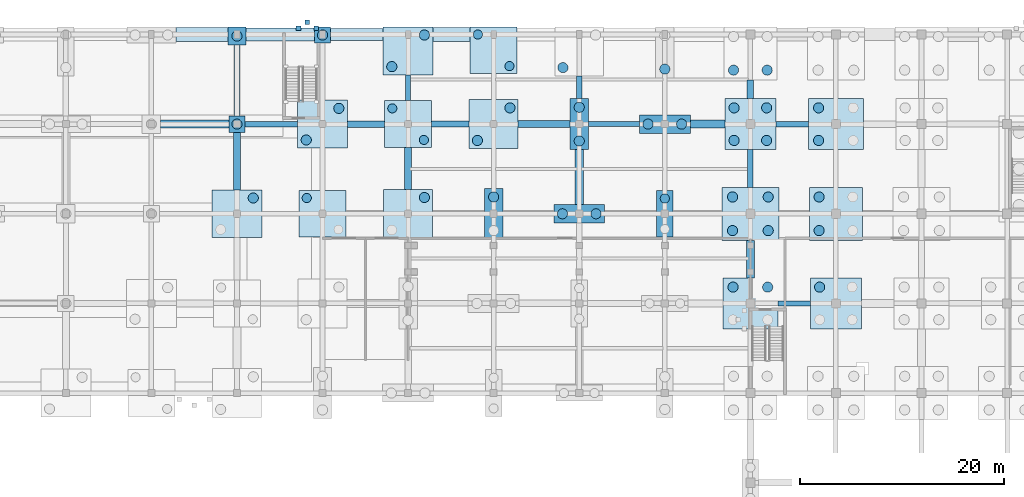
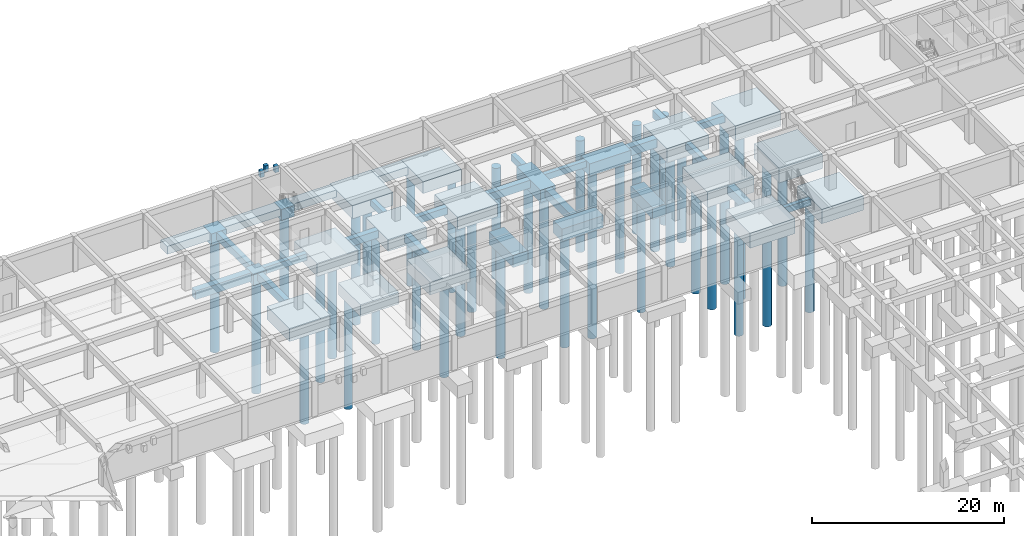
# One storey, part 8 of 41: 47 footings, 43 piles.
"""IFC4 building model written with IfcOpenShell, lengths in metres."""

from ifc_helpers import new_model, si_unit, direction, frame, origin, origin_2d, place, context, subcontext, project, spatial, rectangle, circle, extrude, material, material_profile, profile_set, type_object, element, save


model = new_model("IFC4")

# Units and contexts
model_context = context("Model", 3, precision=1e-05, world=origin(), true_north=direction((0.0, 1.0)))
body_context = subcontext(model_context, "Body", "Model", "MODEL_VIEW")
ifc_project = project(units=[si_unit("LENGTHUNIT", "METRE"), si_unit("AREAUNIT", "SQUARE_METRE"), si_unit("VOLUMEUNIT", "CUBIC_METRE"), si_unit("PLANEANGLEUNIT", "RADIAN"), si_unit("MASSUNIT", "GRAM", prefix="KILO")], contexts=[model_context])

# Site, building, storey
site_placement = place(None, origin())
site = spatial("IfcSite", under=ifc_project, at=site_placement, CompositionType="ELEMENT")
building_placement = place(site_placement, origin())
building = spatial("IfcBuilding", under=site, at=building_placement, Name="Kemercrest Conservatory and Botanical Centre", CompositionType="ELEMENT")
storey_placement = place(building_placement, frame((0.0, 0.0, -4.5)))
storey = spatial("IfcBuildingStorey", under=building, at=storey_placement, Name="B1", CompositionType="ELEMENT", Elevation=-4.5)

# Piles
ifc_material = material(Name="Concrete C40/50", Category="concrete")
ifc_material_profile_1 = material_profile(ifc_material, circle(Radius=0.5, at=origin_2d()), Name="BORED PILE 1000")
ifc_profile_set_1 = profile_set([ifc_material_profile_1], Name="Concrete C40/50")
pile_type_1 = type_object("IfcPileType", Name="BP-01", PredefinedType="BORED", material=ifc_profile_set_1)
pile_1_placement = place(storey_placement, frame((76.800048828125, 106.35009765625, -1.9599609375), z_axis=(0.0, 0.0, -1.0), x_axis=(1.0, 0.0, 0.0)))
element("IfcPile", 1, at=pile_1_placement, inside=storey, type_object=pile_type_1, Name="Bored pile BP-01 #213", PredefinedType="BORED", context=body_context, shape_type="SweptSolid", body=[
    extrude(circle(Radius=0.5, at=origin_2d()), origin(), (0.0, 0.0, 1.0), 14.0400390625),
])
pile_2_placement = place(storey_placement, frame((75.199951171875, 113.60009765625, -1.7099609375), z_axis=(0.0, 0.0, -1.0), x_axis=(1.0, 0.0, 0.0)))
element("IfcPile", 2, at=pile_2_placement, inside=storey, type_object=pile_type_1, Name="Bored pile BP-01 #214", PredefinedType="BORED", context=body_context, shape_type="SweptSolid", body=[
    extrude(circle(Radius=0.5, at=origin_2d()), origin(), (0.0, 0.0, 1.0), 14.2900390625),
])
pile_3_placement = place(storey_placement, frame((75.199951171875, 122.25, -1.760009765625), z_axis=(0.0, 0.0, -1.0), x_axis=(1.0, 0.0, 0.0)))
element("IfcPile", 3, at=pile_3_placement, inside=storey, type_object=pile_type_1, Name="Bored pile BP-01 #215", PredefinedType="BORED", context=body_context, shape_type="SweptSolid", body=[
    extrude(circle(Radius=0.5, at=origin_2d()), origin(), (0.0, 0.0, 1.0), 14.239990234375),
])
for number, where, z_axis, x_axis, name in (
    (4, (82.0, 112.050048828125, -1.9599609375), (0.0, 0.0, -1.0), (1.0, 0.0, 0.0), "Bored pile BP-01 #232"),
    (5, (85.199951171875, 115.14990234375, -1.9599609375), (0.0, 0.0, -1.0), (1.0, 0.0, 0.0), "Bored pile BP-01 #233"),
):
    element("IfcPile", number, at=place(storey_placement, frame(where, z_axis=z_axis, x_axis=x_axis)), inside=storey, type_object=pile_type_1, Name=name, PredefinedType="BORED", context=body_context, shape_type="SweptSolid", body=[
        extrude(circle(Radius=0.5, at=origin_2d()), origin(), (0.0, 0.0, 1.0), 14.0400390625),
    ])
pile_4_placement = place(storey_placement, frame((83.60009765625, 122.35009765625, -1.7099609375), z_axis=(0.0, 0.0, -1.0), x_axis=(1.0, 0.0, 0.0)))
element("IfcPile", 6, at=pile_4_placement, inside=storey, type_object=pile_type_1, Name="Bored pile BP-01 #234", PredefinedType="BORED", context=body_context, shape_type="SweptSolid", body=[
    extrude(circle(Radius=0.5, at=origin_2d()), origin(), (0.0, 0.0, 1.0), 14.2900390625),
])
pile_5_placement = place(storey_placement, frame((93.60009765625, 106.39990234375, -1.909912109375), z_axis=(0.0, 0.0, -1.0), x_axis=(1.0, 0.0, 0.0)))
element("IfcPile", 7, at=pile_5_placement, inside=storey, type_object=pile_type_1, Name="Bored pile BP-01 #249", PredefinedType="BORED", context=body_context, shape_type="SweptSolid", body=[
    extrude(circle(Radius=0.5, at=origin_2d()), origin(), (0.0, 0.0, 1.0), 14.090087890625),
])
for number, where, z_axis, x_axis, name in (
    (8, (90.39990234375, 119.25, -1.9599609375), (0.0, 0.0, -1.0), (1.0, 0.0, 0.0), "Bored pile BP-01 #252"),
    (9, (93.60009765625, 122.35009765625, -1.9599609375), (0.0, 0.0, -1.0), (1.0, 0.0, 0.0), "Bored pile BP-01 #253"),
):
    element("IfcPile", number, at=place(storey_placement, frame(where, z_axis=z_axis, x_axis=x_axis)), inside=storey, type_object=pile_type_1, Name=name, PredefinedType="BORED", context=body_context, shape_type="SweptSolid", body=[
        extrude(circle(Radius=0.5, at=origin_2d()), origin(), (0.0, 0.0, 1.0), 14.0400390625),
    ])
pile_6_placement = place(storey_placement, frame((100.39990234375, 106.449951171875, -1.860107421875), z_axis=(0.0, 0.0, -1.0), x_axis=(1.0, 0.0, 0.0)))
element("IfcPile", 10, at=pile_6_placement, inside=storey, type_object=pile_type_1, Name="Bored pile BP-01 #267", PredefinedType="BORED", context=body_context, shape_type="SweptSolid", body=[
    extrude(circle(Radius=0.5, at=origin_2d()), origin(), (0.0, 0.0, 1.0), 14.139892578125),
])
for number, where, z_axis, x_axis, name in (
    (11, (98.800048828125, 112.0, -1.909912109375), (0.0, 0.0, -1.0), (1.0, 0.0, 0.0), "Bored pile BP-01 #268"),
    (12, (102.0, 115.199951171875, -1.909912109375), (0.0, 0.0, -1.0), (1.0, 0.0, 0.0), "Bored pile BP-01 #269"),
):
    element("IfcPile", number, at=place(storey_placement, frame(where, z_axis=z_axis, x_axis=x_axis)), inside=storey, type_object=pile_type_1, Name=name, PredefinedType="BORED", context=body_context, shape_type="SweptSolid", body=[
        extrude(circle(Radius=0.5, at=origin_2d()), origin(), (0.0, 0.0, 1.0), 14.090087890625),
    ])
for number, where, z_axis, x_axis, name in (
    (13, (107.14990234375, 104.800048828125, -1.860107421875), (0.0, 0.0, -1.0), (1.0, 0.0, 0.0), "Bored pile BP-01 #284"),
    (14, (110.449951171875, 104.800048828125, -1.860107421875), (0.0, 0.0, -1.0), (1.0, 0.0, 0.0), "Bored pile BP-01 #285"),
    (15, (108.800048828125, 111.949951171875, -1.860107421875), (0.0, 0.0, -1.0), (1.0, 0.0, 0.0), "Bored pile BP-01 #286"),
    (16, (108.800048828125, 115.25, -1.860107421875), (0.0, 0.0, -1.0), (1.0, 0.0, 0.0), "Bored pile BP-01 #287"),
):
    element("IfcPile", number, at=place(storey_placement, frame(where, z_axis=z_axis, x_axis=x_axis)), inside=storey, type_object=pile_type_1, Name=name, PredefinedType="BORED", context=body_context, shape_type="SweptSolid", body=[
        extrude(circle(Radius=0.5, at=origin_2d()), origin(), (0.0, 0.0, 1.0), 14.139892578125),
    ])
pile_7_placement = place(storey_placement, frame((107.199951171875, 119.14990234375, -1.909912109375), z_axis=(0.0, 0.0, -1.0), x_axis=(1.0, 0.0, 0.0)))
element("IfcPile", 17, at=pile_7_placement, inside=storey, type_object=pile_type_1, Name="Bored pile BP-01 #288", PredefinedType="BORED", context=body_context, shape_type="SweptSolid", body=[
    extrude(circle(Radius=0.5, at=origin_2d()), origin(), (0.0, 0.0, 1.0), 14.090087890625),
])
for number, where, z_axis, x_axis, name in (
    (18, (115.550048828125, 113.60009765625, -1.860107421875), (0.0, 0.0, -1.0), (1.0, 0.0, 0.0), "Bored pile BP-01 #304"),
    (19, (118.85009765625, 113.60009765625, -1.860107421875), (0.0, 0.0, -1.0), (1.0, 0.0, 0.0), "Bored pile BP-01 #305"),
    (20, (117.199951171875, 119.0, -1.860107421875), (0.0, 0.0, -1.0), (1.0, 0.0, 0.0), "Bored pile BP-01 #306"),
):
    element("IfcPile", number, at=place(storey_placement, frame(where, z_axis=z_axis, x_axis=x_axis)), inside=storey, type_object=pile_type_1, Name=name, PredefinedType="BORED", context=body_context, shape_type="SweptSolid", body=[
        extrude(circle(Radius=0.5, at=origin_2d()), origin(), (0.0, 0.0, 1.0), 14.139892578125),
    ])
for number, where, z_axis, x_axis, name in (
    (21, (123.89990234375, 97.60009765625, -2.25), (0.0, 0.0, -1.0), (1.0, 0.0, 0.0), "Bored pile BP-01 #329"),
    (22, (127.300048828125, 97.60009765625, -2.25), (0.0, 0.0, -1.0), (1.0, 0.0, 0.0), "Bored pile BP-01 #331"),
):
    element("IfcPile", number, at=place(storey_placement, frame(where, z_axis=z_axis, x_axis=x_axis)), inside=storey, type_object=pile_type_1, Name=name, PredefinedType="BORED", context=body_context, shape_type="SweptSolid", body=[
        extrude(circle(Radius=0.5, at=origin_2d()), origin(), (0.0, 0.0, 1.0), 13.75),
    ])
for number, where, z_axis, x_axis, name in (
    (23, (123.85009765625, 103.14990234375, -2.300048828125), (0.0, 0.0, -1.0), (1.0, 0.0, 0.0), "Bored pile BP-01 #332"),
    (24, (123.85009765625, 106.449951171875, -2.300048828125), (0.0, 0.0, -1.0), (1.0, 0.0, 0.0), "Bored pile BP-01 #333"),
    (25, (127.35009765625, 103.14990234375, -2.300048828125), (0.0, 0.0, -1.0), (1.0, 0.0, 0.0), "Bored pile BP-01 #334"),
    (26, (127.35009765625, 106.449951171875, -2.300048828125), (0.0, 0.0, -1.0), (1.0, 0.0, 0.0), "Bored pile BP-01 #335"),
):
    element("IfcPile", number, at=place(storey_placement, frame(where, z_axis=z_axis, x_axis=x_axis)), inside=storey, type_object=pile_type_1, Name=name, PredefinedType="BORED", context=body_context, shape_type="SweptSolid", body=[
        extrude(circle(Radius=0.5, at=origin_2d()), origin(), (0.0, 0.0, 1.0), 13.699951171875),
    ])
for number, where, z_axis, x_axis, name in (
    (27, (124.0, 112.0, -2.14990234375), (0.0, 0.0, -1.0), (1.0, 0.0, 0.0), "Bored pile BP-01 #336"),
    (28, (124.0, 115.199951171875, -2.14990234375), (0.0, 0.0, -1.0), (1.0, 0.0, 0.0), "Bored pile BP-01 #337"),
    (29, (127.199951171875, 112.0, -2.14990234375), (0.0, 0.0, -1.0), (1.0, 0.0, 0.0), "Bored pile BP-01 #338"),
    (30, (127.199951171875, 115.199951171875, -2.14990234375), (0.0, 0.0, -1.0), (1.0, 0.0, 0.0), "Bored pile BP-01 #339"),
):
    element("IfcPile", number, at=place(storey_placement, frame(where, z_axis=z_axis, x_axis=x_axis)), inside=storey, type_object=pile_type_1, Name=name, PredefinedType="BORED", context=body_context, shape_type="SweptSolid", body=[
        extrude(circle(Radius=0.5, at=origin_2d()), origin(), (0.0, 0.0, 1.0), 13.85009765625),
    ])
for number, where, z_axis, x_axis, name in (
    (31, (123.949951171875, 118.89990234375, -2.199951171875), (0.0, 0.0, -1.0), (1.0, 0.0, 0.0), "Bored pile BP-01 #340"),
    (32, (127.25, 118.89990234375, -2.199951171875), (0.0, 0.0, -1.0), (1.0, 0.0, 0.0), "Bored pile BP-01 #342"),
):
    element("IfcPile", number, at=place(storey_placement, frame(where, z_axis=z_axis, x_axis=x_axis)), inside=storey, type_object=pile_type_1, Name=name, PredefinedType="BORED", context=body_context, shape_type="SweptSolid", body=[
        extrude(circle(Radius=0.5, at=origin_2d()), origin(), (0.0, 0.0, 1.0), 13.800048828125),
    ])
pile_8_placement = place(storey_placement, frame((132.39990234375, 97.60009765625, -2.14990234375), z_axis=(0.0, 0.0, -1.0), x_axis=(1.0, 0.0, 0.0)))
element("IfcPile", 33, at=pile_8_placement, inside=storey, type_object=pile_type_1, Name="Bored pile BP-01 #365", PredefinedType="BORED", context=body_context, shape_type="SweptSolid", body=[
    extrude(circle(Radius=0.5, at=origin_2d()), origin(), (0.0, 0.0, 1.0), 13.85009765625),
])
for number, where, z_axis, x_axis, name in (
    (34, (132.35009765625, 103.14990234375, -2.199951171875), (0.0, 0.0, -1.0), (1.0, 0.0, 0.0), "Bored pile BP-01 #368"),
    (35, (132.35009765625, 106.449951171875, -2.199951171875), (0.0, 0.0, -1.0), (1.0, 0.0, 0.0), "Bored pile BP-01 #369"),
):
    element("IfcPile", number, at=place(storey_placement, frame(where, z_axis=z_axis, x_axis=x_axis)), inside=storey, type_object=pile_type_1, Name=name, PredefinedType="BORED", context=body_context, shape_type="SweptSolid", body=[
        extrude(circle(Radius=0.5, at=origin_2d()), origin(), (0.0, 0.0, 1.0), 13.800048828125),
    ])
for number, where, z_axis, x_axis, name in (
    (36, (132.300048828125, 112.0, -2.25), (0.0, 0.0, -1.0), (1.0, 0.0, 0.0), "Bored pile BP-01 #372"),
    (37, (132.300048828125, 115.199951171875, -2.25), (0.0, 0.0, -1.0), (1.0, 0.0, 0.0), "Bored pile BP-01 #373"),
):
    element("IfcPile", number, at=place(storey_placement, frame(where, z_axis=z_axis, x_axis=x_axis)), inside=storey, type_object=pile_type_1, Name=name, PredefinedType="BORED", context=body_context, shape_type="SweptSolid", body=[
        extrude(circle(Radius=0.5, at=origin_2d()), origin(), (0.0, 0.0, 1.0), 13.75),
    ])
ifc_material_profile_2 = material_profile(ifc_material, circle(Radius=0.449951171875, at=origin_2d()), Name="BORED PILE 900")
ifc_profile_set_2 = profile_set([ifc_material_profile_2], Name="Concrete C40/50")
pile_type_2 = type_object("IfcPileType", Name="BP-02", PredefinedType="BORED", material=ifc_profile_set_2)
for number, where, z_axis, x_axis, name in (
    (38, (82.050048828125, 106.35009765625, -1.81005859375), (0.0, 0.0, -1.0), (1.0, 0.0, 0.0), "Bored pile BP-02 #230"),
    (39, (90.449951171875, 115.14990234375, -1.81005859375), (0.0, 0.0, -1.0), (1.0, 0.0, 0.0), "Bored pile BP-02 #250"),
    (40, (93.550048828125, 112.050048828125, -1.81005859375), (0.0, 0.0, -1.0), (1.0, 0.0, 0.0), "Bored pile BP-02 #251"),
    (41, (98.85009765625, 122.39990234375, -1.81005859375), (0.0, 0.0, -1.0), (1.0, 0.0, 0.0), "Bored pile BP-02 #270"),
    (42, (101.949951171875, 119.300048828125, -1.81005859375), (0.0, 0.0, -1.0), (1.0, 0.0, 0.0), "Bored pile BP-02 #271"),
):
    element("IfcPile", number, at=place(storey_placement, frame(where, z_axis=z_axis, x_axis=x_axis)), inside=storey, type_object=pile_type_2, Name=name, PredefinedType="BORED", context=body_context, shape_type="SweptSolid", body=[
        extrude(circle(Radius=0.449951171875, at=origin_2d()), origin(), (0.0, 0.0, 1.0), 14.18994140625),
    ])
pile_9_placement = place(storey_placement, frame((117.199951171875, 106.300048828125, -1.760009765625), z_axis=(0.0, 0.0, -1.0), x_axis=(1.0, 0.0, 0.0)))
element("IfcPile", 43, at=pile_9_placement, inside=storey, type_object=pile_type_2, Name="Bored pile BP-02 #303", PredefinedType="BORED", context=body_context, shape_type="SweptSolid", body=[
    extrude(circle(Radius=0.449951171875, at=origin_2d()), origin(), (0.0, 0.0, 1.0), 14.239990234375),
])

# Footings
footing_type_1 = type_object("IfcFootingType", Name="FB-01", PredefinedType="FOOTING_BEAM", material=ifc_material)
footing_1_placement = place(storey_placement, frame((96.14990234375, 113.60009765625, -1.31005859375), z_axis=(0.0, 0.0, 1.0), x_axis=(1.0, 0.0, 0.0)))
element("IfcFooting", 44, at=footing_1_placement, inside=storey, type_object=footing_type_1, Name="Seismic tie footing beam FB-01", PredefinedType="FOOTING_BEAM", context=body_context, shape_type="SweptSolid", body=[
    extrude(rectangle(XDim=3.699951171875, YDim=0.60009765625, at=origin_2d()), origin(), (0.0, 0.0, 1.0), 0.89990234375),
])
footing_2_placement = place(storey_placement, frame((75.199951171875, 117.875, -1.31005859375), z_axis=(0.0, 0.0, 1.0), x_axis=(1.0, 0.0, 0.0)))
element("IfcFooting", 45, at=footing_2_placement, inside=storey, type_object=footing_type_1, Name="Seismic tie footing beam FB-01", PredefinedType="FOOTING_BEAM", context=body_context, shape_type="SweptSolid", body=[
    extrude(rectangle(XDim=0.60009765625, YDim=6.949951171875, at=origin_2d()), origin(), (0.0, 0.0, 1.0), 0.89990234375),
])
footing_type_2 = type_object("IfcFootingType", Name="FB-02", PredefinedType="FOOTING_BEAM", material=ifc_material)
footing_3_placement = place(storey_placement, frame((105.35009765625, 113.60009765625, -1.409912109375), z_axis=(0.0, 0.0, 1.0), x_axis=(1.0, 0.0, 0.0)))
element("IfcFooting", 46, at=footing_3_placement, inside=storey, type_object=footing_type_2, Name="Seismic tie footing beam FB-02", PredefinedType="FOOTING_BEAM", context=body_context, shape_type="SweptSolid", body=[
    extrude(rectangle(XDim=5.10009765625, YDim=0.699951171875, at=origin_2d()), origin(), (0.0, 0.0, 1.0), 1.0),
])
footing_4_placement = place(storey_placement, frame((92.0, 109.25, -1.409912109375), z_axis=(0.0, 0.0, 1.0), x_axis=(1.0, 0.0, 0.0)))
element("IfcFooting", 47, at=footing_4_placement, inside=storey, type_object=footing_type_2, Name="Seismic tie footing beam FB-02", PredefinedType="FOOTING_BEAM", context=body_context, shape_type="SweptSolid", body=[
    extrude(rectangle(XDim=0.699951171875, YDim=4.10009765625, at=origin_2d()), origin(), (0.0, 0.0, 1.0), 1.0),
])
footing_type_3 = type_object("IfcFootingType", Name="FB-03", PredefinedType="FOOTING_BEAM", material=ifc_material)
footing_5_placement = place(storey_placement, frame((129.89990234375, 96.0, -1.25), z_axis=(0.0, 0.0, 1.0), x_axis=(1.0, 0.0, 0.0)))
element("IfcFooting", 48, at=footing_5_placement, inside=storey, type_object=footing_type_3, Name="Seismic tie footing beam FB-03", PredefinedType="FOOTING_BEAM", context=body_context, shape_type="SweptSolid", body=[
    extrude(rectangle(XDim=3.199951171875, YDim=0.5, at=origin_2d()), origin(), (0.0, 0.0, 1.0), 0.800048828125),
])
footing_6_placement = place(storey_placement, frame((112.199951171875, 113.60009765625, -1.2099609375), z_axis=(0.0, 0.0, 1.0), x_axis=(1.0, 0.0, 0.0)))
element("IfcFooting", 49, at=footing_6_placement, inside=storey, type_object=footing_type_3, Name="Seismic tie footing beam FB-03", PredefinedType="FOOTING_BEAM", context=body_context, shape_type="SweptSolid", body=[
    extrude(rectangle(XDim=5.0, YDim=0.5, at=origin_2d()), origin(), (0.0, 0.0, 1.0), 0.800048828125),
])
footing_7_placement = place(storey_placement, frame((92.0, 117.175048828125, -1.2099609375), z_axis=(0.0, 0.0, 1.0), x_axis=(1.0, 0.0, 0.0)))
element("IfcFooting", 50, at=footing_7_placement, inside=storey, type_object=footing_type_3, Name="Seismic tie footing beam FB-03", PredefinedType="FOOTING_BEAM", context=body_context, shape_type="SweptSolid", body=[
    extrude(rectangle(XDim=0.5, YDim=2.550048828125, at=origin_2d()), origin(), (0.0, 0.0, 1.0), 0.800048828125),
])
footing_type_4 = type_object("IfcFootingType", Name="FB-04", PredefinedType="FOOTING_BEAM", material=ifc_material)
footing_8_placement = place(storey_placement, frame((71.050048828125, 113.60009765625, -1.510009765625), z_axis=(0.0, 0.0, 1.0), x_axis=(1.0, 0.0, 0.0)))
element("IfcFooting", 51, at=footing_8_placement, inside=storey, type_object=footing_type_4, Name="Seismic tie footing beam FB-04", PredefinedType="FOOTING_BEAM", context=body_context, shape_type="SweptSolid", body=[
    extrude(rectangle(XDim=6.699951171875, YDim=0.800048828125, at=origin_2d()), origin(), (0.0, 0.0, 1.0), 1.10009765625),
])
footing_9_placement = place(storey_placement, frame((121.39990234375, 113.60009765625, -1.550048828125), z_axis=(0.0, 0.0, 1.0), x_axis=(1.0, 0.0, 0.0)))
element("IfcFooting", 52, at=footing_9_placement, inside=storey, type_object=footing_type_4, Name="Seismic tie footing beam FB-04", PredefinedType="FOOTING_BEAM", context=body_context, shape_type="SweptSolid", body=[
    extrude(rectangle(XDim=3.39990234375, YDim=0.800048828125, at=origin_2d()), origin(), (0.0, 0.0, 1.0), 1.10009765625),
])
footing_10_placement = place(storey_placement, frame((108.800048828125, 108.39990234375, -1.510009765625), z_axis=(0.0, 0.0, 1.0), x_axis=(1.0, 0.0, 0.0)))
element("IfcFooting", 53, at=footing_10_placement, inside=storey, type_object=footing_type_4, Name="Seismic tie footing beam FB-04", PredefinedType="FOOTING_BEAM", context=body_context, shape_type="SweptSolid", body=[
    extrude(rectangle(XDim=0.800048828125, YDim=5.39990234375, at=origin_2d()), origin(), (0.0, 0.0, 1.0), 1.10009765625),
])
footing_11_placement = place(storey_placement, frame((125.60009765625, 100.35009765625, -1.550048828125), z_axis=(0.0, 0.0, 1.0), x_axis=(1.0, 0.0, 0.0)))
element("IfcFooting", 54, at=footing_11_placement, inside=storey, type_object=footing_type_4, Name="Seismic tie footing beam FB-04", PredefinedType="FOOTING_BEAM", context=body_context, shape_type="SweptSolid", body=[
    extrude(rectangle(XDim=0.800048828125, YDim=3.699951171875, at=origin_2d()), origin(), (0.0, 0.0, 1.0), 1.10009765625),
])
footing_type_5 = type_object("IfcFootingType", Name="FB-05", PredefinedType="FOOTING_BEAM", material=ifc_material)
footing_12_placement = place(storey_placement, frame((78.574951171875, 113.60009765625, -1.260009765625), z_axis=(0.0, 0.0, 1.0), x_axis=(1.0, 0.0, 0.0)))
element("IfcFooting", 55, at=footing_12_placement, inside=storey, type_object=footing_type_5, Name="Seismic tie footing beam FB-05", PredefinedType="FOOTING_BEAM", context=body_context, shape_type="SweptSolid", body=[
    extrude(rectangle(XDim=5.14990234375, YDim=0.550048828125, at=origin_2d()), origin(), (0.0, 0.0, 1.0), 0.85009765625),
])
footing_13_placement = place(storey_placement, frame((129.699951171875, 113.60009765625, -1.300048828125), z_axis=(0.0, 0.0, 1.0), x_axis=(1.0, 0.0, 0.0)))
element("IfcFooting", 56, at=footing_13_placement, inside=storey, type_object=footing_type_5, Name="Seismic tie footing beam FB-05", PredefinedType="FOOTING_BEAM", context=body_context, shape_type="SweptSolid", body=[
    extrude(rectangle(XDim=3.199951171875, YDim=0.550048828125, at=origin_2d()), origin(), (0.0, 0.0, 1.0), 0.85009765625),
])
footing_14_placement = place(storey_placement, frame((108.800048828125, 117.22509765625, -1.260009765625), z_axis=(0.0, 0.0, 1.0), x_axis=(1.0, 0.0, 0.0)))
element("IfcFooting", 57, at=footing_14_placement, inside=storey, type_object=footing_type_5, Name="Seismic tie footing beam FB-05", PredefinedType="FOOTING_BEAM", context=body_context, shape_type="SweptSolid", body=[
    extrude(rectangle(XDim=0.550048828125, YDim=2.25, at=origin_2d()), origin(), (0.0, 0.0, 1.0), 0.85009765625),
])
footing_15_placement = place(storey_placement, frame((125.60009765625, 109.25, -1.300048828125), z_axis=(0.0, 0.0, 1.0), x_axis=(1.0, 0.0, 0.0)))
element("IfcFooting", 58, at=footing_15_placement, inside=storey, type_object=footing_type_5, Name="Seismic tie footing beam FB-05", PredefinedType="FOOTING_BEAM", context=body_context, shape_type="SweptSolid", body=[
    extrude(rectangle(XDim=0.550048828125, YDim=3.699951171875, at=origin_2d()), origin(), (0.0, 0.0, 1.0), 0.85009765625),
])
footing_type_6 = type_object("IfcFootingType", Name="FB-06", PredefinedType="FOOTING_BEAM", material=ifc_material)
footing_16_placement = place(storey_placement, frame((87.875, 113.60009765625, -1.35986328125), z_axis=(0.0, 0.0, 1.0), x_axis=(1.0, 0.0, 0.0)))
element("IfcFooting", 59, at=footing_16_placement, inside=storey, type_object=footing_type_6, Name="Seismic tie footing beam FB-06", PredefinedType="FOOTING_BEAM", context=body_context, shape_type="SweptSolid", body=[
    extrude(rectangle(XDim=3.64990234375, YDim=0.64990234375, at=origin_2d()), origin(), (0.0, 0.0, 1.0), 0.949951171875),
])
footing_17_placement = place(storey_placement, frame((75.199951171875, 109.97509765625, -1.35986328125), z_axis=(0.0, 0.0, 1.0), x_axis=(1.0, 0.0, 0.0)))
element("IfcFooting", 60, at=footing_17_placement, inside=storey, type_object=footing_type_6, Name="Seismic tie footing beam FB-06", PredefinedType="FOOTING_BEAM", context=body_context, shape_type="SweptSolid", body=[
    extrude(rectangle(XDim=0.64990234375, YDim=5.64990234375, at=origin_2d()), origin(), (0.0, 0.0, 1.0), 0.949951171875),
])
footing_18_placement = place(storey_placement, frame((125.60009765625, 117.02490234375, -1.39990234375), z_axis=(0.0, 0.0, 1.0), x_axis=(1.0, 0.0, 0.0)))
element("IfcFooting", 61, at=footing_18_placement, inside=storey, type_object=footing_type_6, Name="Seismic tie footing beam FB-06", PredefinedType="FOOTING_BEAM", context=body_context, shape_type="SweptSolid", body=[
    extrude(rectangle(XDim=0.64990234375, YDim=1.85009765625, at=origin_2d()), origin(), (0.0, 0.0, 1.0), 0.949951171875),
])
footing_type_7 = type_object("IfcFootingType", Name="PC-01", PredefinedType="PILE_CAP", material=ifc_material)
for number, where, z_axis, x_axis, name in (
    (62, (75.199951171875, 113.60009765625, -1.81005859375), (0.0, 0.0, 1.0), (1.0, 0.0, 0.0), "Pile cap PC-01 at (75.2, 113.6)"),
    (63, (83.60009765625, 122.35009765625, -1.81005859375), (0.0, 0.0, 1.0), (1.0, 0.0, 0.0), "Pile cap PC-01 at (83.6, 122.3)"),
):
    element("IfcFooting", number, at=place(storey_placement, frame(where, z_axis=z_axis, x_axis=x_axis)), inside=storey, type_object=footing_type_7, Name=name, PredefinedType="PILE_CAP", context=body_context, shape_type="SweptSolid", body=[
        extrude(rectangle(XDim=1.60009765625, YDim=1.60009765625, at=origin_2d()), origin(), (0.0, 0.0, 1.0), 1.39990234375),
    ])
footing_type_8 = type_object("IfcFootingType", Name="PC-04", PredefinedType="PILE_CAP", material=ifc_material)
for number, where, z_axis, x_axis, name in (
    (64, (92.0, 104.800048828125, -2.010009765625), (0.0, 0.0, 1.0), (1.0, 0.0, 0.0), "Pile cap PC-04 at (92.0, 104.8)"),
    (65, (100.39990234375, 113.60009765625, -2.010009765625), (0.0, 0.0, 1.0), (1.0, 0.0, 0.0), "Pile cap PC-04 at (100.4, 113.6)"),
):
    element("IfcFooting", number, at=place(storey_placement, frame(where, z_axis=z_axis, x_axis=x_axis)), inside=storey, type_object=footing_type_8, Name=name, PredefinedType="PILE_CAP", context=body_context, shape_type="SweptSolid", body=[
        extrude(rectangle(XDim=4.800048828125, YDim=4.800048828125, at=origin_2d()), origin(), (0.0, 0.0, 1.0), 1.60009765625),
    ])
footing_type_9 = type_object("IfcFootingType", Name="PC-05", PredefinedType="PILE_CAP", material=ifc_material)
for number, where, z_axis, x_axis, name in (
    (66, (83.60009765625, 104.800048828125, -1.909912109375), (0.0, 0.0, 1.0), (1.0, 0.0, 0.0), "Pile cap PC-05 at (83.6, 104.8)"),
    (67, (92.0, 113.60009765625, -1.909912109375), (0.0, 0.0, 1.0), (1.0, 0.0, 0.0), "Pile cap PC-05 at (92.0, 113.6)"),
    (68, (100.39990234375, 120.85009765625, -1.909912109375), (0.0, 0.0, 1.0), (1.0, 0.0, 0.0), "Pile cap PC-05 at (100.4, 120.8)"),
):
    element("IfcFooting", number, at=place(storey_placement, frame(where, z_axis=z_axis, x_axis=x_axis)), inside=storey, type_object=footing_type_9, Name=name, PredefinedType="PILE_CAP", context=body_context, shape_type="SweptSolid", body=[
        extrude(rectangle(XDim=4.60009765625, YDim=4.60009765625, at=origin_2d()), origin(), (0.0, 0.0, 1.0), 1.5),
    ])
footing_type_10 = type_object("IfcFootingType", Name="PC-06", PredefinedType="PILE_CAP", material=ifc_material)
for number, where, z_axis, x_axis, name in (
    (69, (125.60009765625, 113.60009765625, -2.25), (0.0, 0.0, 1.0), (1.0, 0.0, 0.0), "Pile cap PC-06 at (125.6, 113.6)"),
    (70, (134.0, 96.0, -2.25), (0.0, 0.0, 1.0), (1.0, 0.0, 0.0), "Pile cap PC-06 at (134.0, 96.0)"),
):
    element("IfcFooting", number, at=place(storey_placement, frame(where, z_axis=z_axis, x_axis=x_axis)), inside=storey, type_object=footing_type_10, Name=name, PredefinedType="PILE_CAP", context=body_context, shape_type="SweptSolid", body=[
        extrude(rectangle(XDim=5.0, YDim=5.0, at=origin_2d()), origin(), (0.0, 0.0, 1.0), 1.800048828125),
    ])
footing_type_11 = type_object("IfcFootingType", Name="PC-07", PredefinedType="PILE_CAP", material=ifc_material)
footing_19_placement = place(storey_placement, frame((134.0, 104.800048828125, -2.300048828125), z_axis=(0.0, 0.0, 1.0), x_axis=(1.0, 0.0, 0.0)))
element("IfcFooting", 71, at=footing_19_placement, inside=storey, type_object=footing_type_11, Name="Pile cap PC-07 at (134.0, 104.8)", PredefinedType="PILE_CAP", context=body_context, shape_type="SweptSolid", body=[
    extrude(rectangle(XDim=5.199951171875, YDim=5.199951171875, at=origin_2d()), origin(), (0.0, 0.0, 1.0), 1.85009765625),
])
footing_type_12 = type_object("IfcFootingType", Name="PC-09", PredefinedType="PILE_CAP", material=ifc_material)
footing_20_placement = place(storey_placement, frame((117.199951171875, 104.800048828125, -1.85986328125), z_axis=(0.0, 0.0, 1.0), x_axis=(1.0, 0.0, 0.0)))
element("IfcFooting", 72, at=footing_20_placement, inside=storey, type_object=footing_type_12, Name="Pile cap PC-09 at (117.2, 104.8)", PredefinedType="PILE_CAP", context=body_context, shape_type="SweptSolid", body=[
    extrude(rectangle(XDim=1.60009765625, YDim=4.60009765625, at=origin_2d()), origin(), (0.0, 0.0, 1.0), 1.449951171875),
])
footing_type_13 = type_object("IfcFootingType", Name="PC-10", PredefinedType="PILE_CAP", material=ifc_material)
for number, where, z_axis, x_axis, name in (
    (73, (125.60009765625, 96.0, -2.349853515625), (0.0, 0.0, 1.0), (1.0, 0.0, 0.0), "Pile cap PC-10 at (125.6, 96.0)"),
    (74, (134.0, 113.60009765625, -2.349853515625), (0.0, 0.0, 1.0), (1.0, 0.0, 0.0), "Pile cap PC-10 at (134.0, 113.6)"),
):
    element("IfcFooting", number, at=place(storey_placement, frame(where, z_axis=z_axis, x_axis=x_axis)), inside=storey, type_object=footing_type_13, Name=name, PredefinedType="PILE_CAP", context=body_context, shape_type="SweptSolid", body=[
        extrude(rectangle(XDim=5.39990234375, YDim=5.0, at=origin_2d()), origin(), (0.0, 0.0, 1.0), 1.89990234375),
    ])
footing_type_14 = type_object("IfcFootingType", Name="PC-12", PredefinedType="PILE_CAP", material=ifc_material)
footing_21_placement = place(storey_placement, frame((75.199951171875, 122.25, -1.85986328125), z_axis=(0.0, 0.0, 1.0), x_axis=(1.0, 0.0, 0.0)))
element("IfcFooting", 75, at=footing_21_placement, inside=storey, type_object=footing_type_14, Name="Pile cap PC-12 at (75.2, 122.2)", PredefinedType="PILE_CAP", context=body_context, shape_type="SweptSolid", body=[
    extrude(rectangle(XDim=1.800048828125, YDim=1.800048828125, at=origin_2d()), origin(), (0.0, 0.0, 1.0), 1.449951171875),
])
footing_type_15 = type_object("IfcFootingType", Name="PC-13", PredefinedType="PILE_CAP", material=ifc_material)
for number, where, z_axis, x_axis, name in (
    (76, (108.800048828125, 104.800048828125, -1.9599609375), (0.0, 0.0, 1.0), (1.0, 0.0, 0.0), "Pile cap PC-13 at (108.8, 104.8)"),
    (77, (117.199951171875, 113.60009765625, -1.9599609375), (0.0, 0.0, 1.0), (1.0, 0.0, 0.0), "Pile cap PC-13 at (117.2, 113.6)"),
):
    element("IfcFooting", number, at=place(storey_placement, frame(where, z_axis=z_axis, x_axis=x_axis)), inside=storey, type_object=footing_type_15, Name=name, PredefinedType="PILE_CAP", context=body_context, shape_type="SweptSolid", body=[
        extrude(rectangle(XDim=5.0, YDim=1.800048828125, at=origin_2d()), origin(), (0.0, 0.0, 1.0), 1.550048828125),
    ])
footing_type_16 = type_object("IfcFootingType", Name="PC-14", PredefinedType="PILE_CAP", material=ifc_material)
for number, where, z_axis, x_axis, name in (
    (78, (100.39990234375, 104.800048828125, -1.9599609375), (0.0, 0.0, 1.0), (1.0, 0.0, 0.0), "Pile cap PC-14 at (100.4, 104.8)"),
    (79, (108.800048828125, 113.60009765625, -1.9599609375), (0.0, 0.0, 1.0), (1.0, 0.0, 0.0), "Pile cap PC-14 at (108.8, 113.6)"),
):
    element("IfcFooting", number, at=place(storey_placement, frame(where, z_axis=z_axis, x_axis=x_axis)), inside=storey, type_object=footing_type_16, Name=name, PredefinedType="PILE_CAP", context=body_context, shape_type="SweptSolid", body=[
        extrude(rectangle(XDim=1.800048828125, YDim=5.0, at=origin_2d()), origin(), (0.0, 0.0, 1.0), 1.550048828125),
    ])
footing_type_17 = type_object("IfcFootingType", Name="PC-15", PredefinedType="PILE_CAP", material=ifc_material)
footing_22_placement = place(storey_placement, frame((125.60009765625, 104.800048828125, -2.39990234375), z_axis=(0.0, 0.0, 1.0), x_axis=(1.0, 0.0, 0.0)))
element("IfcFooting", 80, at=footing_22_placement, inside=storey, type_object=footing_type_17, Name="Pile cap PC-15 at (125.6, 104.8)", PredefinedType="PILE_CAP", context=body_context, shape_type="SweptSolid", body=[
    extrude(rectangle(XDim=5.60009765625, YDim=5.199951171875, at=origin_2d()), origin(), (0.0, 0.0, 1.0), 1.949951171875),
])
footing_type_18 = type_object("IfcFootingType", Name="PC-16", PredefinedType="PILE_CAP", material=ifc_material)
for number, where, z_axis, x_axis, name in (
    (81, (75.199951171875, 104.800048828125, -2.06005859375), (0.0, 0.0, 1.0), (1.0, 0.0, 0.0), "Pile cap PC-16 at (75.2, 104.8)"),
    (82, (83.60009765625, 113.60009765625, -2.06005859375), (0.0, 0.0, 1.0), (1.0, 0.0, 0.0), "Pile cap PC-16 at (83.6, 113.6)"),
    (83, (92.0, 120.800048828125, -2.06005859375), (0.0, 0.0, 1.0), (1.0, 0.0, 0.0), "Pile cap PC-16 at (92.0, 120.8)"),
):
    element("IfcFooting", number, at=place(storey_placement, frame(where, z_axis=z_axis, x_axis=x_axis)), inside=storey, type_object=footing_type_18, Name=name, PredefinedType="PILE_CAP", context=body_context, shape_type="SweptSolid", body=[
        extrude(rectangle(XDim=4.89990234375, YDim=4.699951171875, at=origin_2d()), origin(), (0.0, 0.0, 1.0), 1.64990234375),
    ])
footing_type_19 = type_object("IfcFootingType", Name="PF-01", PredefinedType="PAD_FOOTING", material=ifc_material)
for number, where, z_axis, x_axis, name in (
    (84, (82.989990234375, 123.0, 3.52001953125), (0.0, 0.0, 1.0), (-1.0, 0.0, 0.0), "Threshold pad ED027 grade pad footing L"),
    (85, (81.239990234375, 123.0, 3.52001953125), (0.0, 0.0, 1.0), (-1.0, 0.0, 0.0), "Threshold pad ED027 grade pad footing R"),
    (86, (82.114990234375, 123.60009765625, 3.52001953125), (0.0, 0.0, 1.0), (-1.0, 0.0, 0.0), "Threshold pad ED027 grade pad footing F"),
):
    element("IfcFooting", number, at=place(storey_placement, frame(where, z_axis=z_axis, x_axis=x_axis)), inside=storey, type_object=footing_type_19, Name=name, PredefinedType="PAD_FOOTING", context=body_context, shape_type="SweptSolid", body=[
        extrude(rectangle(XDim=0.449951171875, YDim=0.449951171875, at=origin_2d()), origin(), (0.0, 0.0, 1.0), 0.800048828125),
    ])
footing_type_20 = type_object("IfcFootingType", Name="SF-01", PredefinedType="STRIP_FOOTING", material=ifc_material)
footing_23_placement = place(storey_placement, frame((86.97509765625, 122.39990234375, -1.31005859375), z_axis=(0.0, 0.0, 1.0), x_axis=(1.0, 0.0, 0.0)))
element("IfcFooting", 87, at=footing_23_placement, inside=storey, type_object=footing_type_20, Name="Perimeter strip footing SF-01", PredefinedType="STRIP_FOOTING", context=body_context, shape_type="SweptSolid", body=[
    extrude(rectangle(XDim=5.14990234375, YDim=1.199951171875, at=origin_2d()), origin(), (0.0, 0.0, 1.0), 0.89990234375),
])
footing_type_21 = type_object("IfcFootingType", Name="SF-02", PredefinedType="STRIP_FOOTING", material=ifc_material)
footing_24_placement = place(storey_placement, frame((71.75, 122.39990234375, -1.409912109375), z_axis=(0.0, 0.0, 1.0), x_axis=(1.0, 0.0, 0.0)))
element("IfcFooting", 88, at=footing_24_placement, inside=storey, type_object=footing_type_21, Name="Perimeter strip footing SF-02", PredefinedType="STRIP_FOOTING", context=body_context, shape_type="SweptSolid", body=[
    extrude(rectangle(XDim=5.10009765625, YDim=1.39990234375, at=origin_2d()), origin(), (0.0, 0.0, 1.0), 1.0),
])
footing_25_placement = place(storey_placement, frame((96.27490234375, 122.39990234375, -1.409912109375), z_axis=(0.0, 0.0, 1.0), x_axis=(1.0, 0.0, 0.0)))
element("IfcFooting", 89, at=footing_25_placement, inside=storey, type_object=footing_type_21, Name="Perimeter strip footing SF-02", PredefinedType="STRIP_FOOTING", context=body_context, shape_type="SweptSolid", body=[
    extrude(rectangle(XDim=3.64990234375, YDim=1.39990234375, at=origin_2d()), origin(), (0.0, 0.0, 1.0), 1.0),
])
footing_type_22 = type_object("IfcFootingType", Name="SF-03", PredefinedType="STRIP_FOOTING", material=ifc_material)
footing_26_placement = place(storey_placement, frame((79.449951171875, 122.39990234375, -1.35986328125), z_axis=(0.0, 0.0, 1.0), x_axis=(1.0, 0.0, 0.0)))
element("IfcFooting", 90, at=footing_26_placement, inside=storey, type_object=footing_type_22, Name="Perimeter strip footing SF-03", PredefinedType="STRIP_FOOTING", context=body_context, shape_type="SweptSolid", body=[
    extrude(rectangle(XDim=6.699951171875, YDim=1.300048828125, at=origin_2d()), origin(), (0.0, 0.0, 1.0), 0.949951171875),
])

save(model, "model.ifc")
